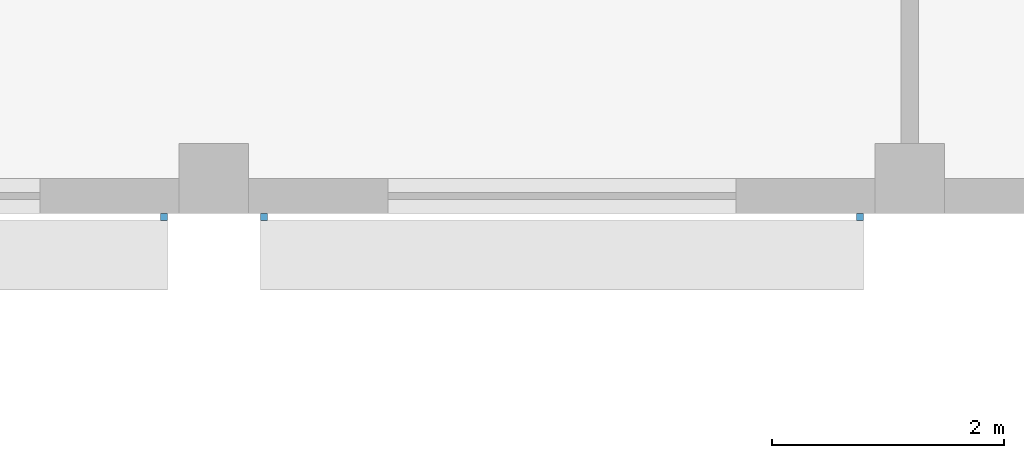
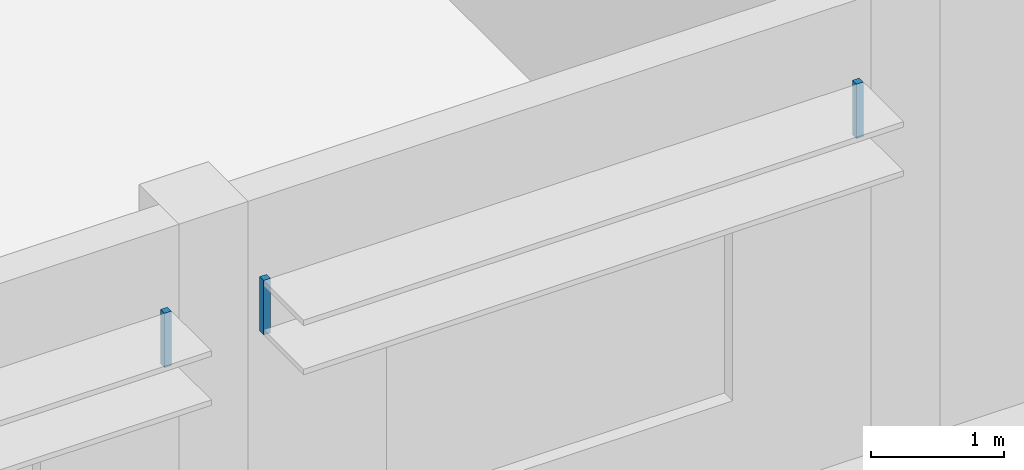
# One storey, part 37 of 47: 3 discrete accessories.
"""IFC4 building model written with IfcOpenShell, lengths in metres."""

from ifc_helpers import new_model, si_unit, direction, frame, origin, origin_2d, place, context, subcontext, project, spatial, rectangle, extrude, material, type_object, element, save


model = new_model("IFC4")

# Units and contexts
model_context = context("Model", 3, precision=1e-05, world=origin(), true_north=direction((0.0, 1.0)))
body_context = subcontext(model_context, "Body", "Model", "MODEL_VIEW")
ifc_project = project(units=[si_unit("LENGTHUNIT", "METRE"), si_unit("AREAUNIT", "SQUARE_METRE"), si_unit("VOLUMEUNIT", "CUBIC_METRE"), si_unit("PLANEANGLEUNIT", "RADIAN"), si_unit("MASSUNIT", "GRAM", prefix="KILO")], contexts=[model_context])

# Site, building, storey
site_placement = place(None, origin())
site = spatial("IfcSite", under=ifc_project, at=site_placement, CompositionType="ELEMENT")
building_placement = place(site_placement, origin())
building = spatial("IfcBuilding", under=site, at=building_placement, Name="Nakaniwa Court", CompositionType="ELEMENT")
storey_placement = place(building_placement, frame((0.0, 0.0, 15.60009765625)))
storey = spatial("IfcBuildingStorey", under=building, at=storey_placement, Name="L03", CompositionType="ELEMENT", Elevation=15.60009765625)

# Discrete accessories
ifc_material = material(Name="Black powder-coated steel bracket S275", Category="steel")
discrete_accessory_type = type_object("IfcDiscreteAccessoryType", Name="Hall black metal louvre bracket", PredefinedType="BRACKET", material=ifc_material)
for number, where, z_axis, x_axis, name in (
    (1, (205.570068359375, 55.969970703125, 2.974853515625), (0.0, 0.0, 1.0), (-1.0, 0.0, 0.0), "Louvre bracket L03 033.1"),
    (2, (200.429931640625, 55.969970703125, 2.974853515625), (0.0, 0.0, 1.0), (-1.0, 0.0, 0.0), "Louvre bracket L03 033.2"),
    (3, (199.570068359375, 55.969970703125, 2.974853515625), (0.0, 0.0, 1.0), (-1.0, 0.0, 0.0), "Louvre bracket L03 034.1"),
):
    element("IfcDiscreteAccessory", number, at=place(storey_placement, frame(where, z_axis=z_axis, x_axis=x_axis)), inside=storey, type_object=discrete_accessory_type, Name=name, PredefinedType="BRACKET", context=body_context, shape_type="SweptSolid", body=[
        extrude(rectangle(XDim=0.06005859375, YDim=0.06005859375, at=origin_2d()), origin(), (0.0, 0.0, 1.0), 0.5),
    ])

save(model, "model.ifc")
